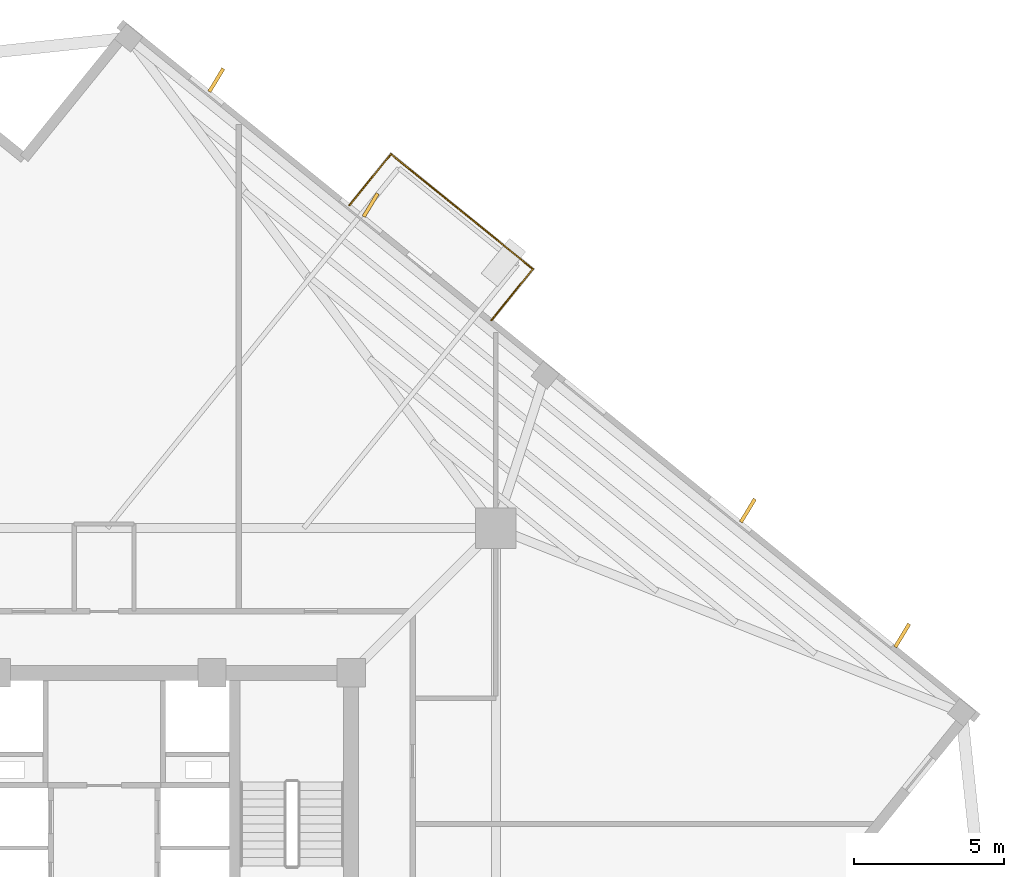
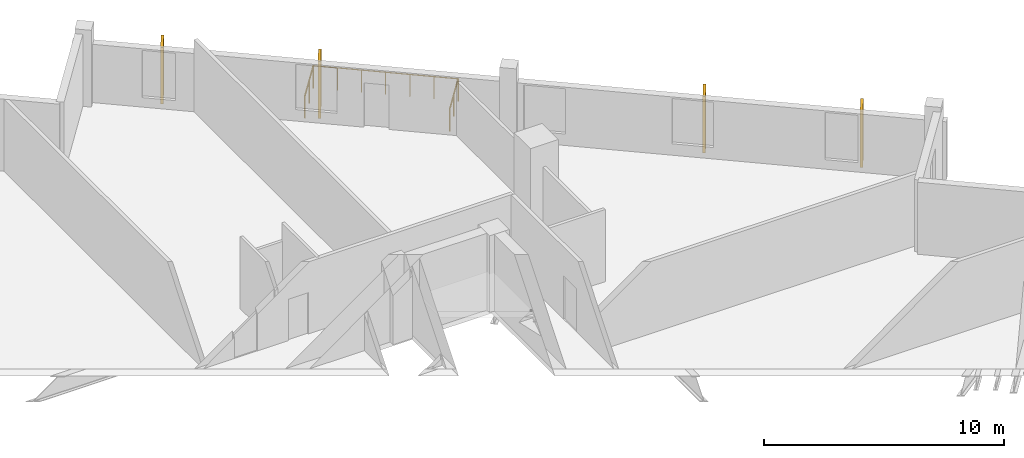
# One storey, part 10 of 10: 4 coverings, 3 railings.
"""IFC4 building model written with IfcOpenShell, lengths in metres."""

from ifc_helpers import new_model, si_unit, direction, frame, origin, origin_2d, place, context, subcontext, project, spatial, rectangle, circle, extrude, source, transform, mapped, material, layer, layer_set, type_object, element, save


model = new_model("IFC4")

# Units and contexts
model_context = context("Model", 3, precision=1e-05, world=origin(), true_north=direction((0.0, 1.0)))
body_context = subcontext(model_context, "Body", "Model", "MODEL_VIEW")
ifc_project = project(units=[si_unit("LENGTHUNIT", "METRE"), si_unit("AREAUNIT", "SQUARE_METRE"), si_unit("VOLUMEUNIT", "CUBIC_METRE"), si_unit("PLANEANGLEUNIT", "RADIAN"), si_unit("MASSUNIT", "GRAM", prefix="KILO"), si_unit("THERMODYNAMICTEMPERATUREUNIT", "KELVIN")], contexts=[model_context])

# Site, building, storey
site_placement = place(None, origin())
site = spatial("IfcSite", under=ifc_project, at=site_placement, CompositionType="ELEMENT")
building_placement = place(site_placement, origin())
building = spatial("IfcBuilding", under=site, at=building_placement, Name="Kosmvard Interchange Tower", CompositionType="ELEMENT")
storey_placement = place(building_placement, frame((0.0, 0.0, 240.699951171875)))
storey = spatial("IfcBuildingStorey", under=building, at=storey_placement, Name="L58", CompositionType="ELEMENT", Elevation=240.699951171875)

# Coverings
ifc_material_1 = material(Name="Architectural anodised aluminium", Category="aluminium")
ifc_layer = layer(ifc_material_1, 0.1201171875, Name="Architectural anodised aluminium")
ifc_layer_set = layer_set([ifc_layer], Name="Architectural anodised aluminium")
covering_type = type_object("IfcCoveringType", Name="Rotating Vertical Sun-Breaker Fin 900x120 Aluminium", PredefinedType="CLADDING", material=ifc_layer_set)
shared_shape_1 = source(origin(), body_context, "Body", "SweptSolid", [
    extrude(rectangle(XDim=0.89990234375, YDim=0.1201171875, at=origin_2d()), origin(), (0.0, 0.0, 1.0), 2.8798828125),
])
for number, where, z_axis, x_axis, name in (
    (1, (26.650146484375, 9.494384765625, 0.0400390625), (0.0, 0.0, 1.0), (0.516682767798, 0.856176919486, 0.0), "L58 Rotating Vertical Sun-Breaker Fin 05"),
    (2, (21.49658203125, 13.66748046875, 0.0400390625), (0.0, 0.0, 1.0), (0.516682767798, 0.856176919486, 0.0), "L58 Rotating Vertical Sun-Breaker Fin 06"),
    (3, (8.8994140625, 23.86865234375, 0.0400390625), (0.0, 0.0, 1.0), (0.516682767798, 0.856176919486, 0.0), "L58 Rotating Vertical Sun-Breaker Fin 07"),
    (4, (3.74609375, 28.041748046875, 0.0400390625), (0.0, 0.0, 1.0), (0.516682767798, 0.856176919486, 0.0), "L58 Rotating Vertical Sun-Breaker Fin 08"),
):
    element("IfcCovering", number, at=place(storey_placement, frame(where, z_axis=z_axis, x_axis=x_axis)), inside=storey, type_object=covering_type, Name=name, PredefinedType="CLADDING", context=body_context, shape_type="MappedRepresentation", body=[
        mapped(shared_shape_1, transform((0.0, 0.0, 0.0), scale=1.0)),
    ])

# Railings
ifc_material_2 = material(Name="Steel S355", Category="steel")
railing_type = type_object("IfcRailingType", Name="Observation & Balcony Glass-Infill Balustrade 1150", PredefinedType="BALUSTRADE", material=ifc_material_2)
shared_shape_2 = source(origin(), body_context, "Body", "SweptSolid", [
    extrude(circle(Radius=0.02392578125, at=origin_2d()), frame((0.0, 0.0, 1.1259765625), z_axis=(0.629325914736, 0.777141488432, 0.0), x_axis=(-0.777141488432, 0.629325914736, 0.0)), (0.0, 0.0, 1.0), 2.199951171875),
    extrude(circle(Radius=0.02099609375, at=origin_2d()), origin(), (0.0, 0.0, 1.0), 1.101806640625),
    extrude(circle(Radius=0.02099609375, at=origin_2d()), frame((0.6923828125, 0.85498046875, 0.0)), (0.0, 0.0, 1.0), 1.101806640625),
    extrude(circle(Radius=0.02099609375, at=origin_2d()), frame((1.384521484375, 1.709716796875, 0.0)), (0.0, 0.0, 1.0), 1.101806640625),
])
railing_1_placement = place(storey_placement, frame((12.93310546875, 20.023193359375, 0.0)))
element("IfcRailing", 5, at=railing_1_placement, inside=storey, type_object=railing_type, Name="L58 Outdoor Terrace Guard BAL-L58-E-A", PredefinedType="BALUSTRADE", context=body_context, shape_type="MappedRepresentation", body=[
    mapped(shared_shape_2, transform((0.0, 0.0, 0.0), scale=1.0)),
])
shared_shape_3 = source(origin(), body_context, "Body", "SweptSolid", [
    extrude(circle(Radius=0.02392578125, at=origin_2d()), frame((0.0, 0.0, 1.1259765625), z_axis=(-0.777137673017, 0.629330626282, 0.0), x_axis=(-0.629330626282, -0.777137673017, 0.0)), (0.0, 0.0, 1.0), 6.099853515625),
    extrude(circle(Radius=0.02099609375, at=origin_2d()), origin(), (0.0, 0.0, 1.0), 1.101806640625),
    extrude(circle(Radius=0.02099609375, at=origin_2d()), frame((-0.7900390625, 0.639892578125, 0.0)), (0.0, 0.0, 1.0), 1.101806640625),
    extrude(circle(Radius=0.02099609375, at=origin_2d()), frame((-1.580078125, 1.279541015625, 0.0)), (0.0, 0.0, 1.0), 1.101806640625),
    extrude(circle(Radius=0.02099609375, at=origin_2d()), frame((-2.3701171875, 1.91943359375, 0.0)), (0.0, 0.0, 1.0), 1.101806640625),
    extrude(circle(Radius=0.02099609375, at=origin_2d()), frame((-3.160400390625, 2.559326171875, 0.0)), (0.0, 0.0, 1.0), 1.101806640625),
    extrude(circle(Radius=0.02099609375, at=origin_2d()), frame((-3.950439453125, 3.198974609375, 0.0)), (0.0, 0.0, 1.0), 1.101806640625),
    extrude(circle(Radius=0.02099609375, at=origin_2d()), frame((-4.740478515625, 3.8388671875, 0.0)), (0.0, 0.0, 1.0), 1.101806640625),
])
railing_2_placement = place(storey_placement, frame((14.317626953125, 21.73291015625, 0.0)))
element("IfcRailing", 6, at=railing_2_placement, inside=storey, type_object=railing_type, Name="L58 Outdoor Terrace Guard BAL-L58-E-B", PredefinedType="BALUSTRADE", context=body_context, shape_type="MappedRepresentation", body=[
    mapped(shared_shape_3, transform((0.0, 0.0, 0.0), scale=1.0)),
])
shared_shape_4 = source(origin(), body_context, "Body", "SweptSolid", [
    extrude(circle(Radius=0.02392578125, at=origin_2d()), frame((0.0, 0.0, 1.1259765625), z_axis=(-0.629325914736, -0.777141488432, 0.0), x_axis=(0.777141488432, -0.629325914736, 0.0)), (0.0, 0.0, 1.0), 2.199951171875),
    extrude(circle(Radius=0.02099609375, at=origin_2d()), origin(), (0.0, 0.0, 1.0), 1.101806640625),
    extrude(circle(Radius=0.02099609375, at=origin_2d()), frame((-0.6923828125, -0.85498046875, 0.0)), (0.0, 0.0, 1.0), 1.101806640625),
    extrude(circle(Radius=0.02099609375, at=origin_2d()), frame((-1.384521484375, -1.709716796875, 0.0)), (0.0, 0.0, 1.0), 1.101806640625),
])
railing_3_placement = place(storey_placement, frame((9.5771484375, 25.57177734375, 0.0)))
element("IfcRailing", 7, at=railing_3_placement, inside=storey, type_object=railing_type, Name="L58 Outdoor Terrace Guard BAL-L58-E-C", PredefinedType="BALUSTRADE", context=body_context, shape_type="MappedRepresentation", body=[
    mapped(shared_shape_4, transform((0.0, 0.0, 0.0), scale=1.0)),
])

save(model, "model.ifc")
